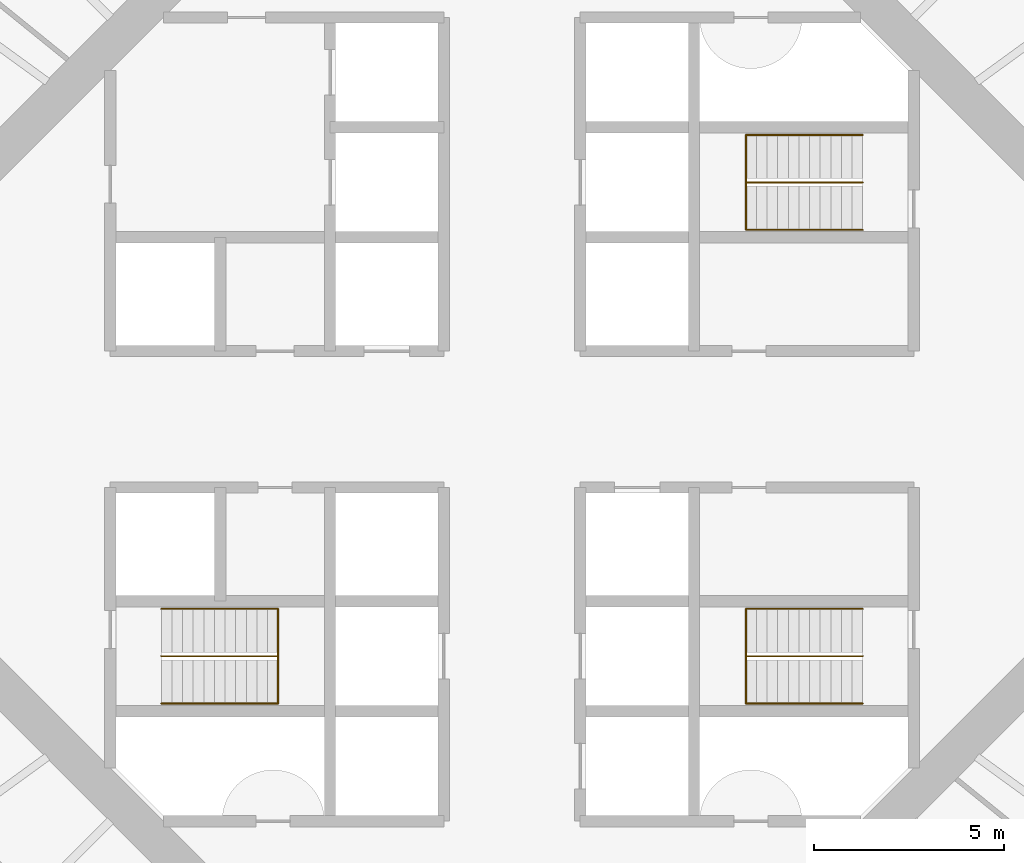
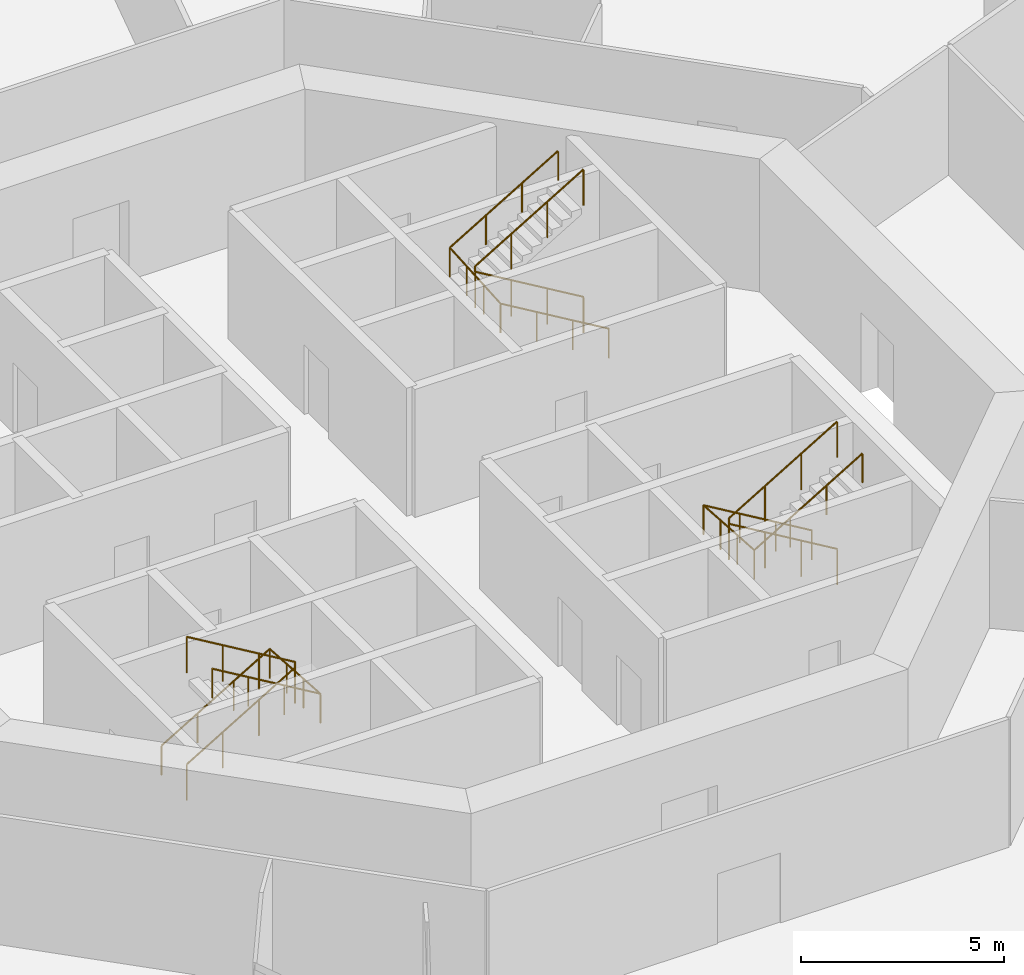
# One storey, part 12 of 12: 6 railings.
"""IFC4 building model written with IfcOpenShell, lengths in metres."""

from ifc_helpers import new_model, si_unit, direction, frame, origin, origin_2d, place, context, subcontext, project, spatial, circle, extrude, material, type_object, element, save


model = new_model("IFC4")

# Units and contexts
model_context = context("Model", 3, precision=1e-05, world=origin(), true_north=direction((0.0, 1.0)))
body_context = subcontext(model_context, "Body", "Model", "MODEL_VIEW")
ifc_project = project(units=[si_unit("LENGTHUNIT", "METRE"), si_unit("AREAUNIT", "SQUARE_METRE"), si_unit("VOLUMEUNIT", "CUBIC_METRE"), si_unit("PLANEANGLEUNIT", "RADIAN"), si_unit("MASSUNIT", "GRAM", prefix="KILO")], contexts=[model_context])

# Site, building, storey
site_placement = place(None, origin())
site = spatial("IfcSite", under=ifc_project, at=site_placement, CompositionType="ELEMENT")
building_placement = place(site_placement, origin())
building = spatial("IfcBuilding", under=site, at=building_placement, Name="Entoto Ring Tower", CompositionType="ELEMENT")
storey_placement = place(building_placement, frame((0.0, 0.0, 144.0)))
storey = spatial("IfcBuildingStorey", under=building, at=storey_placement, Name="L32", CompositionType="ELEMENT", Elevation=144.0)

# Railings
ifc_material_1 = material(Name="Steel S275", Category="steel")
railing_type_1 = type_object("IfcRailingType", Name="Stair guard 1100 mm steel", PredefinedType="GUARDRAIL", material=ifc_material_1)
railing_1_placement = place(storey_placement, frame((99.25, 86.25, 0.166748046875)))
element("IfcRailing", 1, at=railing_1_placement, inside=storey, type_object=railing_type_1, Name="Guard ST1", PredefinedType="GUARDRAIL", context=body_context, shape_type="SweptSolid", body=[
    extrude(circle(Radius=0.02392578125, at=origin_2d()), frame((0.0, 0.0, 1.076171875), z_axis=(-0.859308565015, 0.0, 0.511457515432), x_axis=(0.0, -1.0, 0.0)), (0.0, 0.0, 1.0), 3.58447265625),
    extrude(circle(Radius=0.02392578125, at=origin_2d()), frame((-3.080078125, 0.0, 2.9091796875), z_axis=(0.0, 0.0, 1.0), x_axis=(1.0, 0.0, 0.0)), (0.0, 0.0, 1.0), 0.166748046875),
    extrude(circle(Radius=0.02392578125, at=origin_2d()), frame((-3.080078125, 0.0, 3.076171875), z_axis=(0.859308565015, 0.0, 0.511457515432), x_axis=(0.0, 1.0, 0.0)), (0.0, 0.0, 1.0), 3.58447265625),
    extrude(circle(Radius=0.02099609375, at=origin_2d()), origin(), (0.0, 0.0, 1.0), 1.052001953125),
    extrude(circle(Radius=0.02099609375, at=origin_2d()), frame((-1.026611328125, 0.0, 0.611083984375)), (0.0, 0.0, 1.0), 1.052001953125),
    extrude(circle(Radius=0.02099609375, at=origin_2d()), frame((-2.053466796875, 0.0, 1.22216796875)), (0.0, 0.0, 1.0), 1.052001953125),
    extrude(circle(Radius=0.02099609375, at=origin_2d()), frame((-3.080078125, 0.0, 1.833251953125)), (0.0, 0.0, 1.0), 1.052001953125),
    extrude(circle(Radius=0.02099609375, at=origin_2d()), frame((-3.080078125, 0.0, 2.0)), (0.0, 0.0, 1.0), 1.052001953125),
    extrude(circle(Radius=0.02099609375, at=origin_2d()), frame((-2.053466796875, 0.0, 2.611083984375)), (0.0, 0.0, 1.0), 1.052001953125),
    extrude(circle(Radius=0.02099609375, at=origin_2d()), frame((-1.026611328125, 0.0, 3.22216796875)), (0.0, 0.0, 1.0), 1.052001953125),
    extrude(circle(Radius=0.02099609375, at=origin_2d()), frame((0.0, 0.0, 3.833251953125)), (0.0, 0.0, 1.0), 1.052001953125),
])
railing_2_placement = place(storey_placement, frame((80.75, 73.75, 0.166748046875)))
element("IfcRailing", 2, at=railing_2_placement, inside=storey, type_object=railing_type_1, Name="Guard ST2", PredefinedType="GUARDRAIL", context=body_context, shape_type="SweptSolid", body=[
    extrude(circle(Radius=0.02392578125, at=origin_2d()), frame((0.0, 0.0, 1.076171875), z_axis=(0.859308565015, 0.0, 0.511457515432), x_axis=(0.0, 1.0, 0.0)), (0.0, 0.0, 1.0), 3.58447265625),
    extrude(circle(Radius=0.02392578125, at=origin_2d()), frame((3.080078125, 0.0, 2.9091796875), z_axis=(0.0, 0.0, 1.0), x_axis=(1.0, 0.0, 0.0)), (0.0, 0.0, 1.0), 0.166748046875),
    extrude(circle(Radius=0.02392578125, at=origin_2d()), frame((3.080078125, 0.0, 3.076171875), z_axis=(-0.859308565015, 0.0, 0.511457515432), x_axis=(0.0, -1.0, 0.0)), (0.0, 0.0, 1.0), 3.58447265625),
    extrude(circle(Radius=0.02099609375, at=origin_2d()), origin(), (0.0, 0.0, 1.0), 1.052001953125),
    extrude(circle(Radius=0.02099609375, at=origin_2d()), frame((1.026611328125, 0.0, 0.611083984375)), (0.0, 0.0, 1.0), 1.052001953125),
    extrude(circle(Radius=0.02099609375, at=origin_2d()), frame((2.053466796875, 0.0, 1.22216796875)), (0.0, 0.0, 1.0), 1.052001953125),
    extrude(circle(Radius=0.02099609375, at=origin_2d()), frame((3.080078125, 0.0, 1.833251953125)), (0.0, 0.0, 1.0), 1.052001953125),
    extrude(circle(Radius=0.02099609375, at=origin_2d()), frame((3.080078125, 0.0, 2.0)), (0.0, 0.0, 1.0), 1.052001953125),
    extrude(circle(Radius=0.02099609375, at=origin_2d()), frame((2.053466796875, 0.0, 2.611083984375)), (0.0, 0.0, 1.0), 1.052001953125),
    extrude(circle(Radius=0.02099609375, at=origin_2d()), frame((1.026611328125, 0.0, 3.22216796875)), (0.0, 0.0, 1.0), 1.052001953125),
    extrude(circle(Radius=0.02099609375, at=origin_2d()), frame((0.0, 0.0, 3.833251953125)), (0.0, 0.0, 1.0), 1.052001953125),
])
railing_3_placement = place(storey_placement, frame((99.25, 73.75, 0.166748046875)))
element("IfcRailing", 3, at=railing_3_placement, inside=storey, type_object=railing_type_1, Name="Guard ST3", PredefinedType="GUARDRAIL", context=body_context, shape_type="SweptSolid", body=[
    extrude(circle(Radius=0.02392578125, at=origin_2d()), frame((0.0, 0.0, 1.076171875), z_axis=(-0.859308565015, 0.0, 0.511457515432), x_axis=(0.0, -1.0, 0.0)), (0.0, 0.0, 1.0), 3.58447265625),
    extrude(circle(Radius=0.02392578125, at=origin_2d()), frame((-3.080078125, 0.0, 2.9091796875), z_axis=(0.0, 0.0, 1.0), x_axis=(1.0, 0.0, 0.0)), (0.0, 0.0, 1.0), 0.166748046875),
    extrude(circle(Radius=0.02392578125, at=origin_2d()), frame((-3.080078125, 0.0, 3.076171875), z_axis=(0.859308565015, 0.0, 0.511457515432), x_axis=(0.0, 1.0, 0.0)), (0.0, 0.0, 1.0), 3.58447265625),
    extrude(circle(Radius=0.02099609375, at=origin_2d()), origin(), (0.0, 0.0, 1.0), 1.052001953125),
    extrude(circle(Radius=0.02099609375, at=origin_2d()), frame((-1.026611328125, 0.0, 0.611083984375)), (0.0, 0.0, 1.0), 1.052001953125),
    extrude(circle(Radius=0.02099609375, at=origin_2d()), frame((-2.053466796875, 0.0, 1.22216796875)), (0.0, 0.0, 1.0), 1.052001953125),
    extrude(circle(Radius=0.02099609375, at=origin_2d()), frame((-3.080078125, 0.0, 1.833251953125)), (0.0, 0.0, 1.0), 1.052001953125),
    extrude(circle(Radius=0.02099609375, at=origin_2d()), frame((-3.080078125, 0.0, 2.0)), (0.0, 0.0, 1.0), 1.052001953125),
    extrude(circle(Radius=0.02099609375, at=origin_2d()), frame((-2.053466796875, 0.0, 2.611083984375)), (0.0, 0.0, 1.0), 1.052001953125),
    extrude(circle(Radius=0.02099609375, at=origin_2d()), frame((-1.026611328125, 0.0, 3.22216796875)), (0.0, 0.0, 1.0), 1.052001953125),
    extrude(circle(Radius=0.02099609375, at=origin_2d()), frame((0.0, 0.0, 3.833251953125)), (0.0, 0.0, 1.0), 1.052001953125),
])
ifc_material_2 = material(Name="Steel S275", Category="steel")
railing_type_2 = type_object("IfcRailingType", Name="Stair handrail 900 mm steel", PredefinedType="HANDRAIL", material=ifc_material_2)
railing_4_placement = place(storey_placement, frame((99.25, 85.0, 0.166748046875)))
element("IfcRailing", 4, at=railing_4_placement, inside=storey, type_object=railing_type_2, Name="Handrail ST1", PredefinedType="HANDRAIL", context=body_context, shape_type="SweptSolid", body=[
    extrude(circle(Radius=0.02392578125, at=origin_2d()), frame((0.0, 0.0, 0.8759765625), z_axis=(-0.859308565015, 0.0, 0.511457515432), x_axis=(0.0, -1.0, 0.0)), (0.0, 0.0, 1.0), 3.58447265625),
    extrude(circle(Radius=0.02392578125, at=origin_2d()), frame((-3.080078125, 0.0, 2.708984375), z_axis=(0.0, 0.997783001586, 0.066551346688), x_axis=(-1.0, 0.0, 0.0)), (0.0, 0.0, 1.0), 2.505615234375),
    extrude(circle(Radius=0.02392578125, at=origin_2d()), frame((-3.080078125, 2.5, 2.8759765625), z_axis=(0.859308565015, 0.0, 0.511457515432), x_axis=(0.0, 1.0, 0.0)), (0.0, 0.0, 1.0), 3.58447265625),
    extrude(circle(Radius=0.02099609375, at=origin_2d()), origin(), (0.0, 0.0, 1.0), 0.851806640625),
    extrude(circle(Radius=0.02099609375, at=origin_2d()), frame((-1.026611328125, 0.0, 0.611083984375)), (0.0, 0.0, 1.0), 0.851806640625),
    extrude(circle(Radius=0.02099609375, at=origin_2d()), frame((-2.053466796875, 0.0, 1.22216796875)), (0.0, 0.0, 1.0), 0.851806640625),
    extrude(circle(Radius=0.02099609375, at=origin_2d()), frame((-3.080078125, 0.0, 1.833251953125)), (0.0, 0.0, 1.0), 0.851806640625),
    extrude(circle(Radius=0.02099609375, at=origin_2d()), frame((-3.080078125, 0.833251953125, 1.888916015625)), (0.0, 0.0, 1.0), 0.851806640625),
    extrude(circle(Radius=0.02099609375, at=origin_2d()), frame((-3.080078125, 1.666748046875, 1.9443359375)), (0.0, 0.0, 1.0), 0.851806640625),
    extrude(circle(Radius=0.02099609375, at=origin_2d()), frame((-3.080078125, 2.5, 2.0)), (0.0, 0.0, 1.0), 0.851806640625),
    extrude(circle(Radius=0.02099609375, at=origin_2d()), frame((-2.053466796875, 2.5, 2.611083984375)), (0.0, 0.0, 1.0), 0.851806640625),
    extrude(circle(Radius=0.02099609375, at=origin_2d()), frame((-1.026611328125, 2.5, 3.22216796875)), (0.0, 0.0, 1.0), 0.851806640625),
    extrude(circle(Radius=0.02099609375, at=origin_2d()), frame((0.0, 2.5, 3.833251953125)), (0.0, 0.0, 1.0), 0.851806640625),
])
railing_5_placement = place(storey_placement, frame((80.75, 75.0, 0.166748046875)))
element("IfcRailing", 5, at=railing_5_placement, inside=storey, type_object=railing_type_2, Name="Handrail ST2", PredefinedType="HANDRAIL", context=body_context, shape_type="SweptSolid", body=[
    extrude(circle(Radius=0.02392578125, at=origin_2d()), frame((0.0, 0.0, 0.8759765625), z_axis=(0.859308565015, 0.0, 0.511457515432), x_axis=(0.0, 1.0, 0.0)), (0.0, 0.0, 1.0), 3.58447265625),
    extrude(circle(Radius=0.02392578125, at=origin_2d()), frame((3.080078125, 0.0, 2.708984375), z_axis=(0.0, -0.997783001586, 0.066551346688), x_axis=(1.0, 0.0, 0.0)), (0.0, 0.0, 1.0), 2.505615234375),
    extrude(circle(Radius=0.02392578125, at=origin_2d()), frame((3.080078125, -2.5, 2.8759765625), z_axis=(-0.859308565015, 0.0, 0.511457515432), x_axis=(0.0, -1.0, 0.0)), (0.0, 0.0, 1.0), 3.58447265625),
    extrude(circle(Radius=0.02099609375, at=origin_2d()), origin(), (0.0, 0.0, 1.0), 0.851806640625),
    extrude(circle(Radius=0.02099609375, at=origin_2d()), frame((1.026611328125, 0.0, 0.611083984375)), (0.0, 0.0, 1.0), 0.851806640625),
    extrude(circle(Radius=0.02099609375, at=origin_2d()), frame((2.053466796875, 0.0, 1.22216796875)), (0.0, 0.0, 1.0), 0.851806640625),
    extrude(circle(Radius=0.02099609375, at=origin_2d()), frame((3.080078125, 0.0, 1.833251953125)), (0.0, 0.0, 1.0), 0.851806640625),
    extrude(circle(Radius=0.02099609375, at=origin_2d()), frame((3.080078125, -0.833251953125, 1.888916015625)), (0.0, 0.0, 1.0), 0.851806640625),
    extrude(circle(Radius=0.02099609375, at=origin_2d()), frame((3.080078125, -1.666748046875, 1.9443359375)), (0.0, 0.0, 1.0), 0.851806640625),
    extrude(circle(Radius=0.02099609375, at=origin_2d()), frame((3.080078125, -2.5, 2.0)), (0.0, 0.0, 1.0), 0.851806640625),
    extrude(circle(Radius=0.02099609375, at=origin_2d()), frame((2.053466796875, -2.5, 2.611083984375)), (0.0, 0.0, 1.0), 0.851806640625),
    extrude(circle(Radius=0.02099609375, at=origin_2d()), frame((1.026611328125, -2.5, 3.22216796875)), (0.0, 0.0, 1.0), 0.851806640625),
    extrude(circle(Radius=0.02099609375, at=origin_2d()), frame((0.0, -2.5, 3.833251953125)), (0.0, 0.0, 1.0), 0.851806640625),
])
railing_6_placement = place(storey_placement, frame((99.25, 75.0, 0.166748046875)))
element("IfcRailing", 6, at=railing_6_placement, inside=storey, type_object=railing_type_2, Name="Handrail ST3", PredefinedType="HANDRAIL", context=body_context, shape_type="SweptSolid", body=[
    extrude(circle(Radius=0.02392578125, at=origin_2d()), frame((0.0, 0.0, 0.8759765625), z_axis=(-0.859308565015, 0.0, 0.511457515432), x_axis=(0.0, -1.0, 0.0)), (0.0, 0.0, 1.0), 3.58447265625),
    extrude(circle(Radius=0.02392578125, at=origin_2d()), frame((-3.080078125, 0.0, 2.708984375), z_axis=(0.0, -0.997783001586, 0.066551346688), x_axis=(1.0, 0.0, 0.0)), (0.0, 0.0, 1.0), 2.505615234375),
    extrude(circle(Radius=0.02392578125, at=origin_2d()), frame((-3.080078125, -2.5, 2.8759765625), z_axis=(0.859308565015, 0.0, 0.511457515432), x_axis=(0.0, 1.0, 0.0)), (0.0, 0.0, 1.0), 3.58447265625),
    extrude(circle(Radius=0.02099609375, at=origin_2d()), origin(), (0.0, 0.0, 1.0), 0.851806640625),
    extrude(circle(Radius=0.02099609375, at=origin_2d()), frame((-1.026611328125, 0.0, 0.611083984375)), (0.0, 0.0, 1.0), 0.851806640625),
    extrude(circle(Radius=0.02099609375, at=origin_2d()), frame((-2.053466796875, 0.0, 1.22216796875)), (0.0, 0.0, 1.0), 0.851806640625),
    extrude(circle(Radius=0.02099609375, at=origin_2d()), frame((-3.080078125, 0.0, 1.833251953125)), (0.0, 0.0, 1.0), 0.851806640625),
    extrude(circle(Radius=0.02099609375, at=origin_2d()), frame((-3.080078125, -0.833251953125, 1.888916015625)), (0.0, 0.0, 1.0), 0.851806640625),
    extrude(circle(Radius=0.02099609375, at=origin_2d()), frame((-3.080078125, -1.666748046875, 1.9443359375)), (0.0, 0.0, 1.0), 0.851806640625),
    extrude(circle(Radius=0.02099609375, at=origin_2d()), frame((-3.080078125, -2.5, 2.0)), (0.0, 0.0, 1.0), 0.851806640625),
    extrude(circle(Radius=0.02099609375, at=origin_2d()), frame((-2.053466796875, -2.5, 2.611083984375)), (0.0, 0.0, 1.0), 0.851806640625),
    extrude(circle(Radius=0.02099609375, at=origin_2d()), frame((-1.026611328125, -2.5, 3.22216796875)), (0.0, 0.0, 1.0), 0.851806640625),
    extrude(circle(Radius=0.02099609375, at=origin_2d()), frame((0.0, -2.5, 3.833251953125)), (0.0, 0.0, 1.0), 0.851806640625),
])

save(model, "model.ifc")
